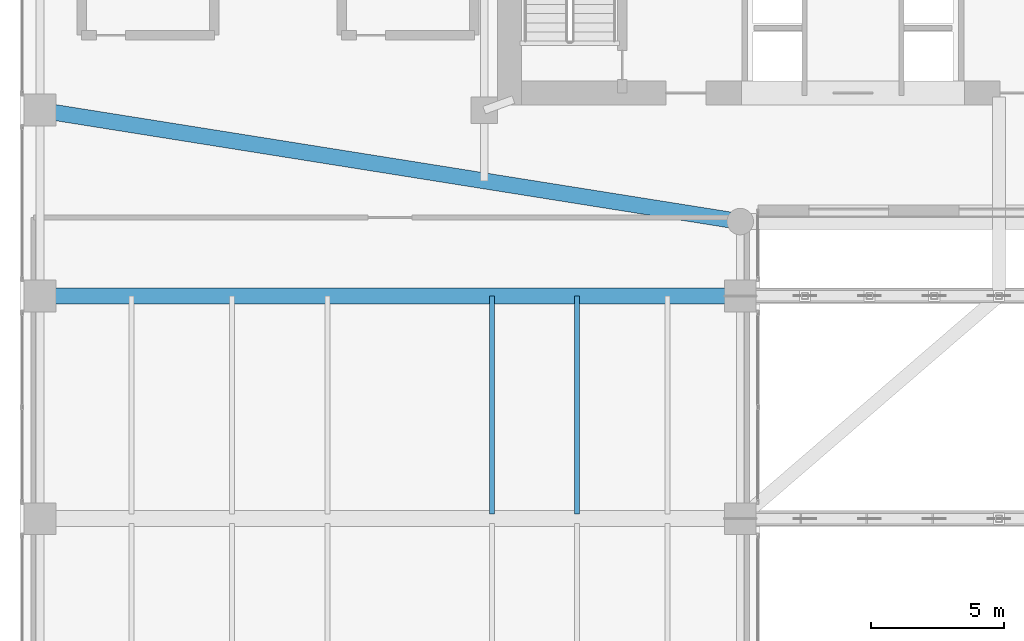
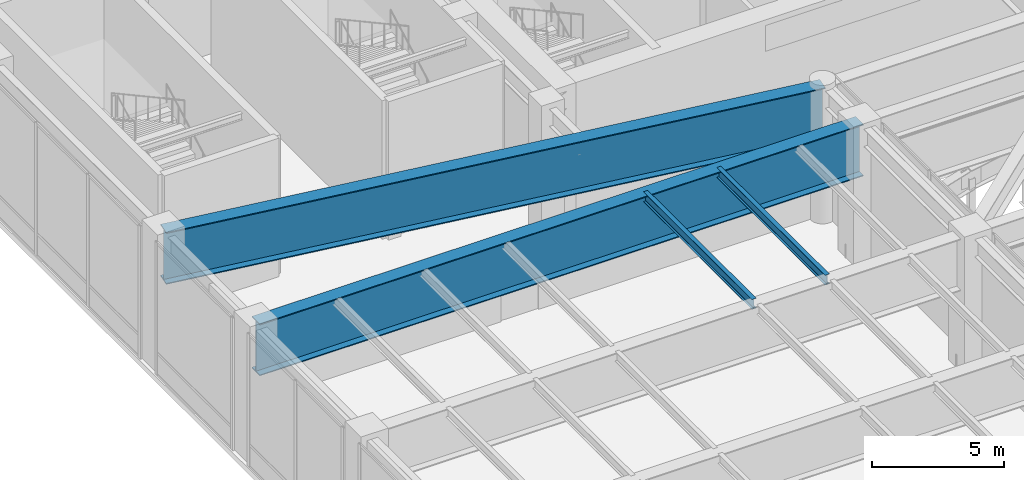
# One storey, part 14 of 50: 4 beams.
"""IFC4 building model written with IfcOpenShell, lengths in metres."""

from ifc_helpers import new_model, si_unit, direction, frame, origin, origin_2d, place, context, subcontext, project, spatial, i_section, extrude, source, transform, mapped, material, material_profile, profile_set, type_object, type_shapes, element, save


model = new_model("IFC4")

# Units and contexts
model_context = context("Model", 3, precision=1e-05, world=origin(), true_north=direction((0.0, 1.0)))
body_context = subcontext(model_context, "Body", "Model", "MODEL_VIEW")
ifc_project = project(units=[si_unit("LENGTHUNIT", "METRE"), si_unit("AREAUNIT", "SQUARE_METRE"), si_unit("VOLUMEUNIT", "CUBIC_METRE"), si_unit("PLANEANGLEUNIT", "RADIAN"), si_unit("MASSUNIT", "GRAM", prefix="KILO")], contexts=[model_context])

# Site, building, storey
site_placement = place(None, origin())
site = spatial("IfcSite", under=ifc_project, at=site_placement, CompositionType="ELEMENT")
building_placement = place(site_placement, origin())
building = spatial("IfcBuilding", under=site, at=building_placement, Name="Tolvann Quenvar Hotel", CompositionType="ELEMENT")
storey_placement = place(building_placement, frame((0.0, 0.0, 16.0)))
storey = spatial("IfcBuildingStorey", under=building, at=storey_placement, Name="L03", CompositionType="ELEMENT", Elevation=16.0)

# Beams
ifc_material = material(Name="Steel Grade 350", Category="steel")
ifc_material_profile_1 = material_profile(ifc_material, i_section(OverallWidth=0.18994140625, OverallDepth=0.4541015625, WebThickness=0.008544921875, FlangeThickness=0.0126953125, FilletRadius=0.011474609375, at=origin_2d()), Name="460UB67")
ifc_profile_set_1 = profile_set([ifc_material_profile_1], Name="Steel Grade 350")
beam_type_1 = type_object("IfcBeamType", Name="BM_JOIST_460UB67", PredefinedType="JOIST", material=ifc_profile_set_1)
shared_shape_1 = source(origin(), body_context, "Body", "SweptSolid", [
    extrude(i_section(OverallWidth=0.18994140625, OverallDepth=0.4541015625, WebThickness=0.008544921875, FlangeThickness=0.0126953125, FilletRadius=0.011474609375, at=origin_2d()), origin(), (0.0, 0.0, 1.0), 8.21484375),
])
type_shapes(beam_type_1, [shared_shape_1])
for number, where, z_axis, x_axis, name in (
    (1, (9.39990234375, 16.18505859375, 5.9130859375), (0.0, 1.0, 0.0), (-1.0, 0.0, 0.0), "BJ-L03-94-160"),
    (2, (12.60009765625, 16.18505859375, 5.9130859375), (0.0, 1.0, 0.0), (-1.0, 0.0, 0.0), "BJ-L03-126-160"),
):
    element("IfcBeam", number, at=place(storey_placement, frame(where, z_axis=z_axis, x_axis=x_axis)), inside=storey, type_object=beam_type_1, Name=name, PredefinedType="JOIST", context=body_context, shape_type="MappedRepresentation", body=[
        mapped(shared_shape_1, transform((0.0, 0.0, 0.0), x_axis=(1.0, 0.0, 0.0), y_axis=(0.0, 1.0, 0.0), z_axis=(0.0, 0.0, 1.0), scale=1.0)),
    ])
ifc_material_profile_2 = material_profile(ifc_material, i_section(OverallWidth=0.60009765625, OverallDepth=2.39990234375, WebThickness=0.02001953125, FlangeThickness=0.044921875, at=origin_2d()), Name="2400WB655")
ifc_profile_set_2 = profile_set([ifc_material_profile_2], Name="Steel Grade 350")
beam_type_2 = type_object("IfcBeamType", Name="BM_TG_2400WB655", PredefinedType="USERDEFINED", material=ifc_profile_set_2)
shared_shape_2 = source(origin(), body_context, "Body", "SweptSolid", [
    extrude(i_section(OverallWidth=0.60009765625, OverallDepth=2.39990234375, WebThickness=0.02001953125, FlangeThickness=0.044921875, at=origin_2d()), origin(), (0.0, 0.0, 1.0), 26.39990234375),
])
beam_1_placement = place(storey_placement, frame((-7.64990234375, 24.39990234375, 4.93994140625), z_axis=(1.0, 0.0, 0.0), x_axis=(0.0, 1.0, 0.0)))
element("IfcBeam", 3, at=beam_1_placement, inside=storey, type_object=beam_type_2, Name="Ballroom Clear-Span Girder L03-4", ObjectType="TRANSFER GIRDER", PredefinedType="USERDEFINED", context=body_context, shape_type="MappedRepresentation", body=[
    mapped(shared_shape_2, transform((0.0, 0.0, 0.0), x_axis=(1.0, 0.0, 0.0), y_axis=(0.0, 1.0, 0.0), z_axis=(0.0, 0.0, 1.0), scale=1.0)),
])
shared_shape_3 = source(origin(), body_context, "Body", "SweptSolid", [
    extrude(i_section(OverallWidth=0.60009765625, OverallDepth=2.39990234375, WebThickness=0.02001953125, FlangeThickness=0.044921875, at=origin_2d()), origin(), (0.0, 0.0, 1.0), 26.73193359375),
])
type_shapes(beam_type_2, [shared_shape_2, shared_shape_3])
beam_2_placement = place(storey_placement, frame((-7.64990234375, 31.39990234375, 4.93994140625), z_axis=(0.987580499575, -0.157113834078, 0.0), x_axis=(0.157113834078, 0.987580499575, 0.0)))
element("IfcBeam", 4, at=beam_2_placement, inside=storey, type_object=beam_type_2, Name="Ballroom Clear-Span Girder L03-5", ObjectType="TRANSFER GIRDER", PredefinedType="USERDEFINED", context=body_context, shape_type="MappedRepresentation", body=[
    mapped(shared_shape_3, transform((0.0, 0.0, 0.0), x_axis=(1.0, 0.0, 0.0), y_axis=(0.0, 1.0, 0.0), z_axis=(0.0, 0.0, 1.0), scale=1.0)),
])

save(model, "model.ifc")
